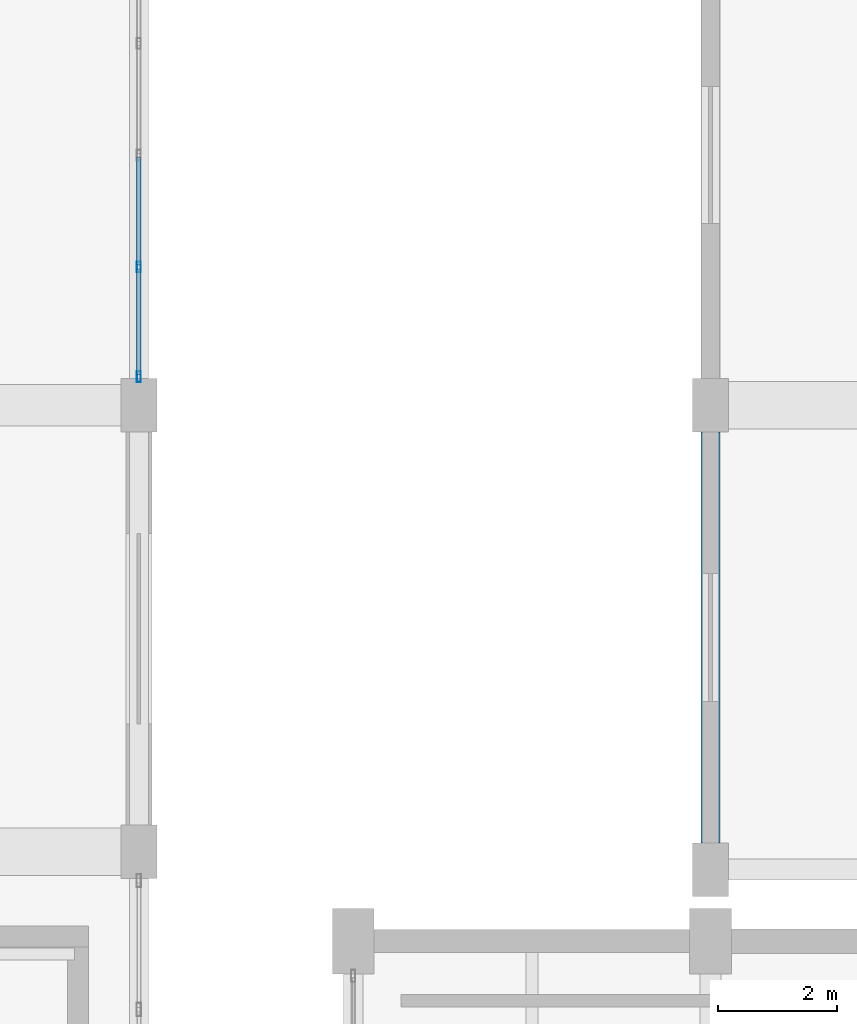
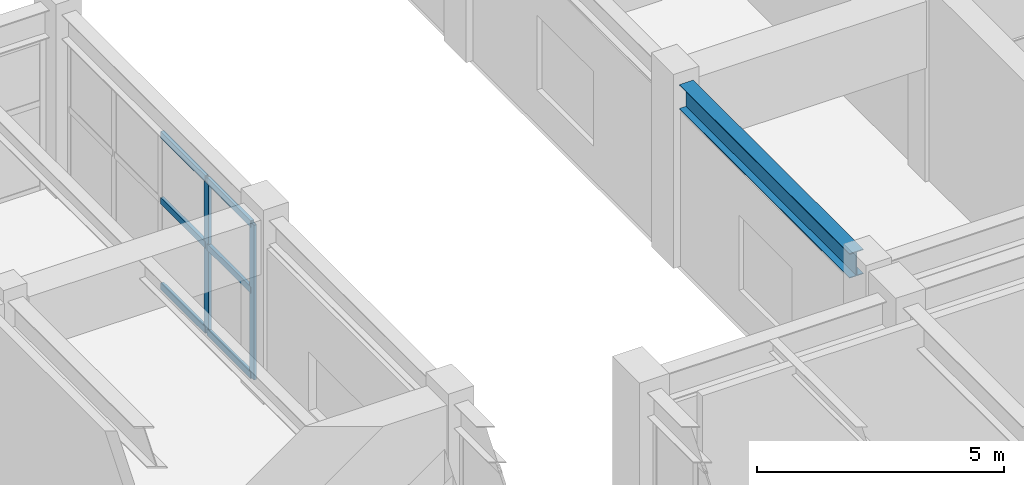
# One storey, part 45 of 96: 8 members, 1 beam, 1 element without a shape of its own.
"""IFC4 building model written with IfcOpenShell, lengths in metres."""

import ifcopenshell
import ifcopenshell.guid

model = None  # the IFC model being written
_history = None  # IfcOwnerHistory: only IFC2X3 demands one
_inside = {}  # id of a spatial element -> (the spatial element, [elements in it])
_under = {}  # id of a project, library or spatial element -> (it, [spatial elements below it])
_declared = {}  # id of a project -> (the project, [libraries it declares])
_typed = {}  # id of a type object -> (the type object, [elements of that type])
_made_of = {}  # id of a material, layer set ... -> (it, [elements and type objects made of it])


def new_model(schema):
    """Start an empty IFC model of exactly this schema.

    Asked for "IFC4X3", IfcOpenShell would pick the latest addendum, in which some entities
    have other attributes; the version numbers below select the first issue.
    IFC2X3 requires an IfcOwnerHistory on every rooted entity: one is made here for all.
    """
    global model, _history
    if schema == "IFC4X3":
        model = ifcopenshell.file(schema_version=(4, 3, 0, 0))
    else:
        model = ifcopenshell.file(schema=schema)
    _inside.clear()
    _under.clear()
    _declared.clear()
    _typed.clear()
    _made_of.clear()
    _history = None
    if model.schema == "IFC2X3":
        org = make("IfcOrganization", Name="unknown")
        user = make(
            "IfcPersonAndOrganization",
            ThePerson=make("IfcPerson", FamilyName="unknown"),
            TheOrganization=org,
        )
        app = make(
            "IfcApplication",
            ApplicationDeveloper=org,
            Version="unknown",
            ApplicationFullName="unknown",
            ApplicationIdentifier="unknown",
        )
        _history = make(
            "IfcOwnerHistory",
            OwningUser=user,
            OwningApplication=app,
            ChangeAction="ADDED",
            CreationDate=0,
        )
    return model


def make(cls, **values):
    """One entity of the class cls with the attributes given. An attribute that is None is left unset."""
    return model.create_entity(
        cls, **{name: value for name, value in values.items() if value is not None}
    )


def rooted(cls, **values):
    """An entity with a GlobalId (a new one), such as an element, a storey or a relation."""
    return make(cls, GlobalId=ifcopenshell.guid.new(), OwnerHistory=_history, **values)


def si_unit(unit_type, name, prefix=None):
    """IfcSIUnit, for example si_unit("LENGTHUNIT", "METRE", prefix="MILLI")."""
    return make("IfcSIUnit", UnitType=unit_type, Prefix=prefix, Name=name)


def assignment(units):
    """IfcUnitAssignment: the units of a project."""
    return None if units is None else make("IfcUnitAssignment", Units=units)


def point(xyz):
    """IfcCartesianPoint."""
    return None if xyz is None else make("IfcCartesianPoint", Coordinates=xyz)


def direction(xyz):
    """IfcDirection."""
    return None if xyz is None else make("IfcDirection", DirectionRatios=xyz)


def frame(location, z_axis=None, x_axis=None):
    """IfcAxis2Placement3D, a coordinate frame: its origin and axes. An axis left out is left unset."""
    return make(
        "IfcAxis2Placement3D",
        Location=point(location),
        Axis=direction(z_axis),
        RefDirection=direction(x_axis),
    )


def frame_2d(location, x_axis=None):
    """IfcAxis2Placement2D, a coordinate frame in the plane: its origin and x axis."""
    return make(
        "IfcAxis2Placement2D", Location=point(location), RefDirection=direction(x_axis)
    )


def origin():
    """The frame at (0, 0, 0) with its axes left unset."""
    return frame((0.0, 0.0, 0.0))


def origin_2d():
    """The frame at (0, 0) in the plane with its x axis left unset."""
    return frame_2d((0.0, 0.0))


def place(relative_to, where):
    """IfcLocalPlacement: puts the frame where relative to a parent placement (None: the world)."""
    return make(
        "IfcLocalPlacement", PlacementRelTo=relative_to, RelativePlacement=where
    )


def context(
    kind, dimensions, precision=None, world=None, true_north=None, identifier=None
):
    """IfcGeometricRepresentationContext, for example the 3D "Model" context."""
    return make(
        "IfcGeometricRepresentationContext",
        ContextIdentifier=identifier,
        ContextType=kind,
        CoordinateSpaceDimension=dimensions,
        Precision=precision,
        WorldCoordinateSystem=world,
        TrueNorth=true_north,
    )


def subcontext(parent, identifier, kind, view, scale=None):
    """IfcGeometricRepresentationSubContext, for example "Body" below "Model"."""
    return make(
        "IfcGeometricRepresentationSubContext",
        ContextIdentifier=identifier,
        ContextType=kind,
        ParentContext=parent,
        TargetScale=scale,
        TargetView=view,
    )


def project(units=None, contexts=None):
    """IfcProject with its units and contexts."""
    return rooted(
        "IfcProject",
        Name="project",
        RepresentationContexts=contexts,
        UnitsInContext=assignment(units),
    )


def spatial(cls, under=None, at=None, **own):
    """A site, building, storey or space (cls), placed at a placement, below another one or the project."""
    s = rooted(cls, ObjectPlacement=at, **own)
    if under is not None:
        _under.setdefault(under.id(), (under, []))[1].append(s)
    return s


def profile(cls, at=None, kind="AREA", **sizes):
    """A parametric profile (cls). Its sizes go by their IFC names, for example OverallWidth=200.0."""
    return make(cls, ProfileType=kind, Position=at, **sizes)


def hollow_rectangle(**sizes):
    """IfcRectangleHollowProfileDef."""
    return profile("IfcRectangleHollowProfileDef", **sizes)


def i_section(**sizes):
    """IfcIShapeProfileDef."""
    return profile("IfcIShapeProfileDef", **sizes)


def extrude(swept, where, along, depth):
    """IfcExtrudedAreaSolid: the profile swept, set in the frame where, extruded along a direction by depth."""
    return make(
        "IfcExtrudedAreaSolid",
        SweptArea=swept,
        Position=where,
        ExtrudedDirection=direction(along),
        Depth=depth,
    )


def shape(context_of_items, identifier, shape_type, items):
    """IfcShapeRepresentation: the items that make up one representation, for example the "Body"."""
    return make(
        "IfcShapeRepresentation",
        ContextOfItems=context_of_items,
        RepresentationIdentifier=identifier,
        RepresentationType=shape_type,
        Items=items,
    )


def material(Name=None, Category=None):
    """IfcMaterial."""
    return make("IfcMaterial", Name=Name, Category=Category)


def layer(
    of_material, thickness, ventilated=None, Name=None, Category=None, Priority=None
):
    """IfcMaterialLayer: one layer of a wall or slab, of a material (None: an air gap)."""
    return make(
        "IfcMaterialLayer",
        Material=of_material,
        LayerThickness=thickness,
        IsVentilated=ventilated,
        Name=Name,
        Category=Category,
        Priority=Priority,
    )


def layer_set(layers, Name=None):
    """IfcMaterialLayerSet."""
    return make("IfcMaterialLayerSet", MaterialLayers=layers, LayerSetName=Name)


def material_profile(
    of_material, cross_section, Name=None, Category=None, Priority=None
):
    """IfcMaterialProfile: a cross section and its material."""
    return make(
        "IfcMaterialProfile",
        Name=Name,
        Material=of_material,
        Profile=cross_section,
        Priority=Priority,
        Category=Category,
    )


def profile_set(profiles, Name=None, composite=None):
    """IfcMaterialProfileSet."""
    return make(
        "IfcMaterialProfileSet",
        Name=Name,
        MaterialProfiles=profiles,
        CompositeProfile=composite,
    )


def made_of(thing, what):
    """Note that an element or type object is made of a material, layer set ...; save() writes the relation."""
    if what is not None:
        _made_of.setdefault(what.id(), (what, []))[1].append(thing)
    return thing


def type_object(cls, material=None, **own):
    """A type object (cls), such as IfcWallType, which elements share."""
    return made_of(rooted(cls, **own), material)


def element(
    cls,
    number,
    at=None,
    inside=None,
    cuts=None,
    type_object=None,
    material=None,
    context=None,
    identifier="Body",
    shape_type=None,
    held_by="IfcProductDefinitionShape",
    body=None,
    shapes=None,
    **own,
):
    """One element of the class cls, such as IfcWall. Its Tag is "e" and its number.

    at: its placement. inside: the storey or other place that contains it. cuts: it is an
    opening in that element (IfcRelVoidsElement). A single representation is given by context,
    identifier, shape_type and body (its items); several are given by shapes. held_by: the class
    of the entity that holds the representations. save() writes the other relations.
    """
    e = rooted(cls, Tag="e%d" % number, ObjectPlacement=at, **own)
    if body is not None:
        shapes = [shape(context, identifier, shape_type, body)]
    if shapes is not None:
        e.Representation = make(held_by, Representations=shapes)
    if inside is not None:
        _inside.setdefault(inside.id(), (inside, []))[1].append(e)
    if cuts is not None:
        rooted(
            "IfcRelVoidsElement", RelatingBuildingElement=cuts, RelatedOpeningElement=e
        )
    if type_object is not None:
        _typed.setdefault(type_object.id(), (type_object, []))[1].append(e)
    return made_of(e, material)


def aggregate(whole, parts):
    """IfcRelAggregates: a whole, such as a stair, and the parts it consists of."""
    return rooted("IfcRelAggregates", RelatingObject=whole, RelatedObjects=parts)


def save(model, path):
    """Write the relations noted so far, then the file.

    IfcRelAggregates (storeys below a building ...), IfcRelContainedInSpatialStructure (elements
    in a storey), IfcRelDefinesByType, IfcRelAssociatesMaterial and IfcRelDeclares: one each for
    every whole, place, type object, material and project.
    """
    for whole, parts in _under.values():
        aggregate(whole, parts)
    for where, things in _inside.values():
        rooted(
            "IfcRelContainedInSpatialStructure",
            RelatedElements=things,
            RelatingStructure=where,
        )
    for kind, things in _typed.values():
        rooted("IfcRelDefinesByType", RelatedObjects=things, RelatingType=kind)
    for what, things in _made_of.values():
        rooted("IfcRelAssociatesMaterial", RelatedObjects=things, RelatingMaterial=what)
    for by, libraries in _declared.values():
        rooted("IfcRelDeclares", RelatingContext=by, RelatedDefinitions=libraries)
    model.write(path)


model = new_model("IFC4")

# Units and contexts
model_context = context("Model", 3, precision=1e-05, world=origin(), true_north=direction((0.0, 1.0)))
body_context = subcontext(model_context, "Body", "Model", "MODEL_VIEW")
ifc_project = project(units=[si_unit("LENGTHUNIT", "METRE"), si_unit("AREAUNIT", "SQUARE_METRE"), si_unit("VOLUMEUNIT", "CUBIC_METRE"), si_unit("PLANEANGLEUNIT", "RADIAN"), si_unit("MASSUNIT", "GRAM", prefix="KILO")], contexts=[model_context])

# Site, building, storey
site_placement = place(None, origin())
site = spatial("IfcSite", under=ifc_project, at=site_placement, CompositionType="ELEMENT")
building_placement = place(site_placement, origin())
building = spatial("IfcBuilding", under=site, at=building_placement, Name="Vaelkrest Opera House", CompositionType="ELEMENT")
storey_placement = place(building_placement, frame((0.0, 0.0, 5.39990234375)))
storey = spatial("IfcBuildingStorey", under=building, at=storey_placement, Name="L01", CompositionType="ELEMENT", Elevation=5.39990234375)

# Curtain wall, members
ifc_material_1 = material(Name="Dark bronze anodized aluminium", Category="aluminium")
ifc_layer = layer(ifc_material_1, 0.219970703125)
ifc_layer_set = layer_set([ifc_layer], Name="Dark bronze anodized aluminium")
curtain_wall_type = type_object("IfcCurtainWallType", Name="CW05", PredefinedType="NOTDEFINED", material=ifc_layer_set)
curtain_wall_placement = place(storey_placement, origin())
curtain_wall = element("IfcCurtainWall", 1, at=curtain_wall_placement, inside=storey, type_object=curtain_wall_type, Name="Curtain wall CW-L01-110", PredefinedType="NOTDEFINED")
ifc_material_profile_1 = material_profile(ifc_material_1, hollow_rectangle(XDim=0.06494140625, YDim=0.179931640625, WallThickness=0.00390625, at=origin_2d()), Name="CWM65X180")
ifc_profile_set_1 = profile_set([ifc_material_profile_1], Name="Dark bronze anodized aluminium")
member_type_1 = type_object("IfcMemberType", Name="CWM01", PredefinedType="MULLION", material=ifc_profile_set_1)
member_1_placement = place(storey_placement, frame((-33.60009765625, 27.52392578125, 0.0), z_axis=(0.0, 0.0, 1.0), x_axis=(1.0, 0.0, 0.0)))
member_1 = element("IfcMember", 2, at=member_1_placement, type_object=member_type_1, Name="CW05 mullion 4", PredefinedType="MULLION", context=body_context, shape_type="SweptSolid", body=[
    extrude(hollow_rectangle(XDim=0.06494140625, YDim=0.179931640625, WallThickness=0.00390625, at=origin_2d()), origin(), (0.0, 0.0, 1.0), 3.82421875),
])
member_2_placement = place(storey_placement, frame((-33.60009765625, 25.680419921875, 0.0), z_axis=(0.0, 0.0, 1.0), x_axis=(1.0, 0.0, 0.0)))
member_2 = element("IfcMember", 3, at=member_2_placement, type_object=member_type_1, Name="CW05 mullion 5", PredefinedType="MULLION", context=body_context, shape_type="SweptSolid", body=[
    extrude(hollow_rectangle(XDim=0.06494140625, YDim=0.179931640625, WallThickness=0.00390625, at=origin_2d()), origin(), (0.0, 0.0, 1.0), 3.82421875),
])
ifc_material_profile_2 = material_profile(ifc_material_1, hollow_rectangle(XDim=0.074951171875, YDim=0.159912109375, WallThickness=0.00439453125, at=origin_2d()), Name="CWT75X160")
ifc_profile_set_2 = profile_set([ifc_material_profile_2], Name="Dark bronze anodized aluminium")
member_type_2 = type_object("IfcMemberType", Name="CWT03", PredefinedType="USERDEFINED", material=ifc_profile_set_2)
member_3_placement = place(storey_placement, frame((-33.60009765625, 29.367431640625, 0.03759765625), z_axis=(0.0, -1.0, 0.0), x_axis=(1.0, 0.0, 0.0)))
member_3 = element("IfcMember", 4, at=member_3_placement, type_object=member_type_2, Name="CW05 transom 3.1", ObjectType="TRANSOM", PredefinedType="USERDEFINED", context=body_context, shape_type="SweptSolid", body=[
    extrude(hollow_rectangle(XDim=0.074951171875, YDim=0.159912109375, WallThickness=0.00439453125, at=origin_2d()), origin(), (0.0, 0.0, 1.0), 1.81103515625),
])
member_4_placement = place(storey_placement, frame((-33.60009765625, 29.367431640625, 2.150146484375), z_axis=(0.0, -1.0, 0.0), x_axis=(1.0, 0.0, 0.0)))
member_4 = element("IfcMember", 5, at=member_4_placement, type_object=member_type_2, Name="CW05 transom 3.2", ObjectType="TRANSOM", PredefinedType="USERDEFINED", context=body_context, shape_type="SweptSolid", body=[
    extrude(hollow_rectangle(XDim=0.074951171875, YDim=0.159912109375, WallThickness=0.00439453125, at=origin_2d()), origin(), (0.0, 0.0, 1.0), 1.81103515625),
])
member_5_placement = place(storey_placement, frame((-33.60009765625, 29.367431640625, 3.78662109375), z_axis=(0.0, -1.0, 0.0), x_axis=(1.0, 0.0, 0.0)))
member_5 = element("IfcMember", 6, at=member_5_placement, type_object=member_type_2, Name="CW05 transom 3.3", ObjectType="TRANSOM", PredefinedType="USERDEFINED", context=body_context, shape_type="SweptSolid", body=[
    extrude(hollow_rectangle(XDim=0.074951171875, YDim=0.159912109375, WallThickness=0.00439453125, at=origin_2d()), origin(), (0.0, 0.0, 1.0), 1.81103515625),
])
member_6_placement = place(storey_placement, frame((-33.60009765625, 27.491455078125, 0.03759765625), z_axis=(0.0, -1.0, 0.0), x_axis=(1.0, 0.0, 0.0)))
member_6 = element("IfcMember", 7, at=member_6_placement, type_object=member_type_2, Name="CW05 transom 4.1", ObjectType="TRANSOM", PredefinedType="USERDEFINED", context=body_context, shape_type="SweptSolid", body=[
    extrude(hollow_rectangle(XDim=0.074951171875, YDim=0.159912109375, WallThickness=0.00439453125, at=origin_2d()), origin(), (0.0, 0.0, 1.0), 1.778564453125),
])
member_7_placement = place(storey_placement, frame((-33.60009765625, 27.491455078125, 2.150146484375), z_axis=(0.0, -1.0, 0.0), x_axis=(1.0, 0.0, 0.0)))
member_7 = element("IfcMember", 8, at=member_7_placement, type_object=member_type_2, Name="CW05 transom 4.2", ObjectType="TRANSOM", PredefinedType="USERDEFINED", context=body_context, shape_type="SweptSolid", body=[
    extrude(hollow_rectangle(XDim=0.074951171875, YDim=0.159912109375, WallThickness=0.00439453125, at=origin_2d()), origin(), (0.0, 0.0, 1.0), 1.778564453125),
])
member_8_placement = place(storey_placement, frame((-33.60009765625, 27.491455078125, 3.78662109375), z_axis=(0.0, -1.0, 0.0), x_axis=(1.0, 0.0, 0.0)))
member_8 = element("IfcMember", 9, at=member_8_placement, type_object=member_type_2, Name="CW05 transom 4.3", ObjectType="TRANSOM", PredefinedType="USERDEFINED", context=body_context, shape_type="SweptSolid", body=[
    extrude(hollow_rectangle(XDim=0.074951171875, YDim=0.159912109375, WallThickness=0.00439453125, at=origin_2d()), origin(), (0.0, 0.0, 1.0), 1.778564453125),
])
aggregate(curtain_wall, [member_1, member_2, member_3, member_4, member_5, member_6, member_7, member_8])

# Beam
ifc_material_2 = material(Name="Steel A992 Gr50", Category="steel")
ifc_material_profile_3 = material_profile(ifc_material_2, i_section(OverallWidth=0.323974609375, OverallDepth=0.611083984375, WebThickness=0.0126953125, FlangeThickness=0.01904296875, at=origin_2d()), Name="W24X104")
ifc_profile_set_3 = profile_set([ifc_material_profile_3], Name="Steel A992 Gr50")
beam_type = type_object("IfcBeamType", Name="SP01", PredefinedType="SPANDREL", material=ifc_profile_set_3)
beam_placement = place(storey_placement, frame((-24.0, 17.85009765625, 4.19970703125), z_axis=(0.0, 1.0, 0.0), x_axis=(-1.0, 0.0, 0.0)))
element("IfcBeam", 10, at=beam_placement, inside=storey, type_object=beam_type, Name="Beam BM-V2-L01-0901", PredefinedType="SPANDREL", context=body_context, shape_type="SweptSolid", body=[
    extrude(i_section(OverallWidth=0.323974609375, OverallDepth=0.611083984375, WebThickness=0.0126953125, FlangeThickness=0.01904296875, at=origin_2d()), origin(), (0.0, 0.0, 1.0), 6.89990234375),
])

save(model, "model.ifc")
